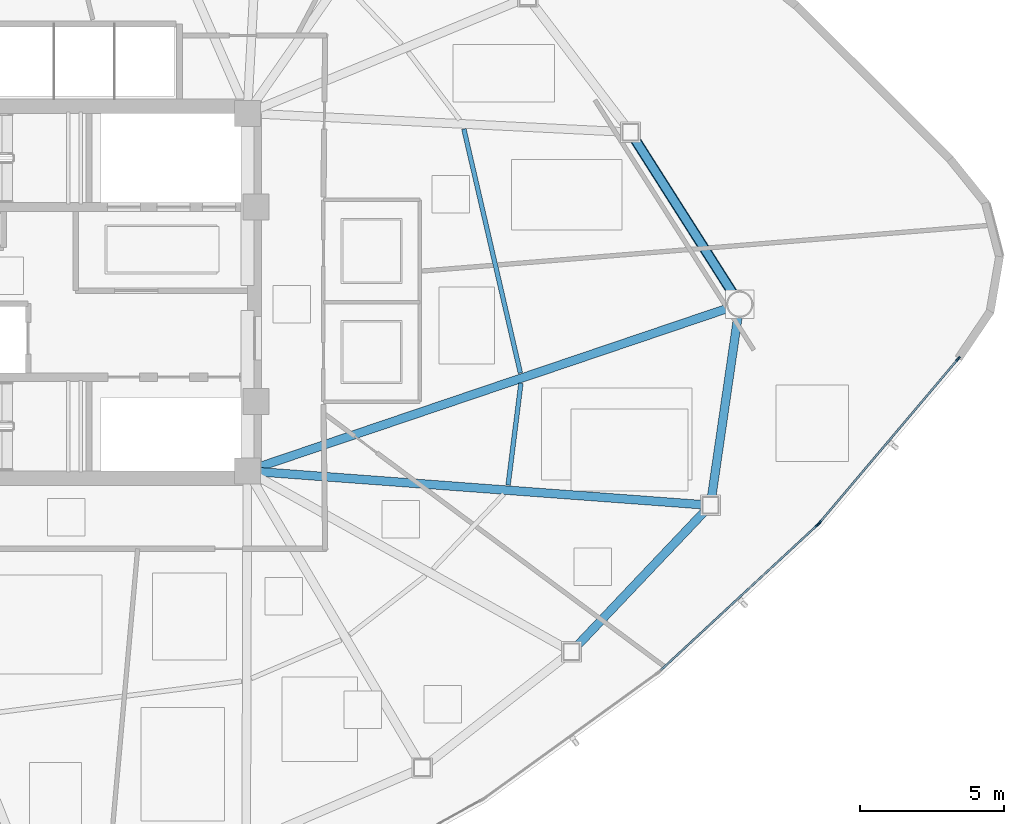
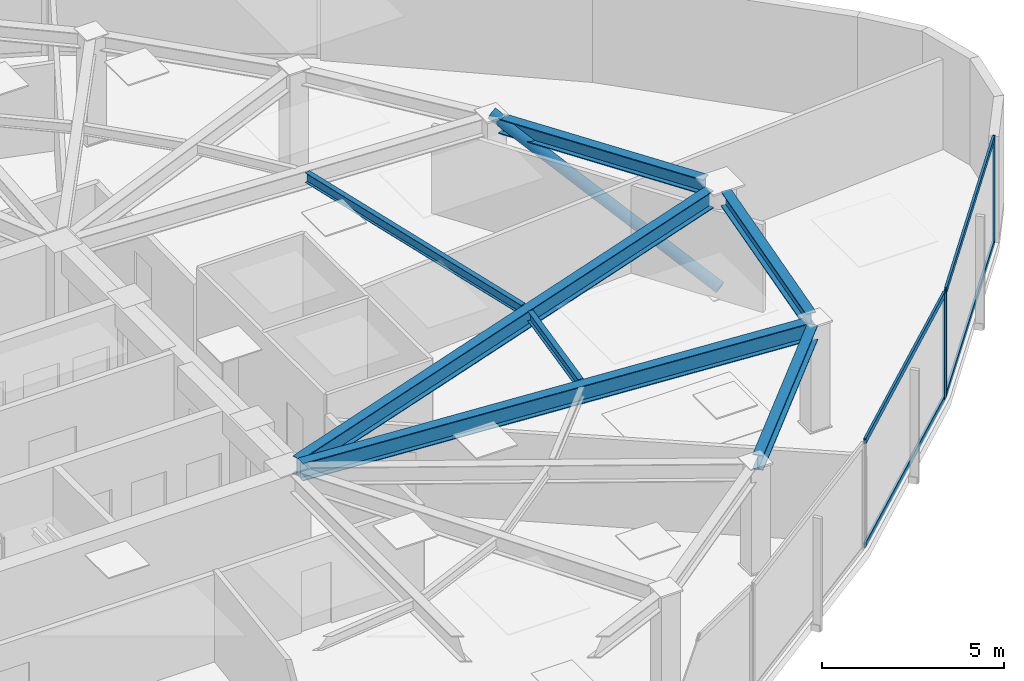
# One storey, part 6 of 17: 8 members, 7 beams, 2 elements without a shape of their own.
"""IFC4 building model written with IfcOpenShell, lengths in metres."""

from ifc_helpers import new_model, si_unit, direction, frame, origin, origin_2d, place, context, subcontext, project, spatial, hollow_rectangle, hollow_circle, i_section, extrude, source, transform, mapped, material, layer, layer_set, material_profile, profile_set, type_object, type_shapes, element, aggregate, save


model = new_model("IFC4")

# Units and contexts
model_context = context("Model", 3, precision=1e-05, world=origin(), true_north=direction((0.0, 1.0)))
body_context = subcontext(model_context, "Body", "Model", "MODEL_VIEW")
ifc_project = project(units=[si_unit("LENGTHUNIT", "METRE"), si_unit("AREAUNIT", "SQUARE_METRE"), si_unit("VOLUMEUNIT", "CUBIC_METRE"), si_unit("PLANEANGLEUNIT", "RADIAN"), si_unit("MASSUNIT", "GRAM", prefix="KILO")], contexts=[model_context])

# Site, building, storey
site_placement = place(None, origin())
site = spatial("IfcSite", under=ifc_project, at=site_placement, CompositionType="ELEMENT")
building_placement = place(site_placement, origin())
building = spatial("IfcBuilding", under=site, at=building_placement, Name="Tavelor Broadcast Tower", CompositionType="ELEMENT")
storey_placement = place(building_placement, frame((0.0, 0.0, 169.5)))
storey = spatial("IfcBuildingStorey", under=building, at=storey_placement, Name="L40", CompositionType="ELEMENT", Elevation=169.5)

# Beams
ifc_material_1 = material(Name="Steel S355", Category="steel")
ifc_material_profile_1 = material_profile(ifc_material_1, i_section(OverallWidth=0.159912109375, OverallDepth=0.330078125, WebThickness=0.007568359375, FlangeThickness=0.011474609375, at=origin_2d()), Name="IPE 330")
ifc_profile_set_1 = profile_set([ifc_material_profile_1], Name="Steel S355")
beam_type_1 = type_object("IfcBeamType", Name="Composite Floor Joist T4 IPE 330", PredefinedType="JOIST", material=ifc_profile_set_1)
beam_1_placement = place(storey_placement, frame((65.64453125, 38.3095703125, 3.385009765625), z_axis=(0.124499310057, 0.992219694319, 0.0), x_axis=(-0.992219694319, 0.124499310057, 0.0)))
element("IfcBeam", 1, at=beam_1_placement, inside=storey, type_object=beam_type_1, Name="L40 Secondary Composite Floor Joist 12", PredefinedType="JOIST", context=body_context, shape_type="SweptSolid", body=[
    extrude(i_section(OverallWidth=0.159912109375, OverallDepth=0.330078125, WebThickness=0.007568359375, FlangeThickness=0.011474609375, at=origin_2d()), origin(), (0.0, 0.0, 1.0), 3.55712890625),
])
beam_2_placement = place(storey_placement, frame((66.069091796875, 42.195068359375, 3.385009765625), z_axis=(-0.225617102792, 0.974216055569, 0.0), x_axis=(-0.974216055569, -0.225617102792, 0.0)))
element("IfcBeam", 2, at=beam_2_placement, inside=storey, type_object=beam_type_1, Name="L40 Secondary Composite Floor Joist 13", PredefinedType="JOIST", context=body_context, shape_type="SweptSolid", body=[
    extrude(i_section(OverallWidth=0.159912109375, OverallDepth=0.330078125, WebThickness=0.007568359375, FlangeThickness=0.011474609375, at=origin_2d()), origin(), (0.0, 0.0, 1.0), 8.683837890625),
])
ifc_material_profile_2 = material_profile(ifc_material_1, i_section(OverallWidth=0.300048828125, OverallDepth=0.5, WebThickness=0.014404296875, FlangeThickness=0.028076171875, at=origin_2d()), Name="HEB 500")
ifc_profile_set_2 = profile_set([ifc_material_profile_2], Name="Steel S355")
beam_type_2 = type_object("IfcBeamType", Name="Perimeter Spandrel Beam T4 HEB 500", PredefinedType="SPANDREL", material=ifc_profile_set_2)
beam_3_placement = place(storey_placement, frame((68.04052734375, 32.74072265625, 3.300048828125), z_axis=(0.688387662899, 0.725342970993, 0.0), x_axis=(-0.725342970993, 0.688387662899, 0.0)))
element("IfcBeam", 3, at=beam_3_placement, inside=storey, type_object=beam_type_2, Name="L40 Framed-Tube Ring Spandrel 11", PredefinedType="SPANDREL", context=body_context, shape_type="SweptSolid", body=[
    extrude(i_section(OverallWidth=0.300048828125, OverallDepth=0.5, WebThickness=0.014404296875, FlangeThickness=0.028076171875, at=origin_2d()), origin(), (0.0, 0.0, 1.0), 6.42138671875),
])
beam_4_placement = place(storey_placement, frame((72.700927734375, 37.892333984375, 3.300048828125), z_axis=(0.144298223799, 0.989534245293, 0.0), x_axis=(-0.989534245293, 0.144298223799, 0.0)))
element("IfcBeam", 4, at=beam_4_placement, inside=storey, type_object=beam_type_2, Name="L40 Framed-Tube Ring Spandrel 12", PredefinedType="SPANDREL", context=body_context, shape_type="SweptSolid", body=[
    extrude(i_section(OverallWidth=0.300048828125, OverallDepth=0.5, WebThickness=0.014404296875, FlangeThickness=0.028076171875, at=origin_2d()), origin(), (0.0, 0.0, 1.0), 6.3193359375),
])
beam_5_placement = place(storey_placement, frame((73.440673828125, 44.94970703125, 3.300048828125), z_axis=(-0.536287336864, 0.844035480486, 0.0), x_axis=(-0.844035480486, -0.536287336864, 0.0)))
element("IfcBeam", 5, at=beam_5_placement, inside=storey, type_object=beam_type_2, Name="L40 Framed-Tube Ring Spandrel 13", PredefinedType="SPANDREL", context=body_context, shape_type="SweptSolid", body=[
    extrude(i_section(OverallWidth=0.300048828125, OverallDepth=0.5, WebThickness=0.014404296875, FlangeThickness=0.028076171875, at=origin_2d()), origin(), (0.0, 0.0, 1.0), 6.340087890625),
])

# Member
ifc_material_profile_3 = material_profile(ifc_material_1, hollow_circle(Radius=0.177734375, WallThickness=0.01611328125, at=origin_2d()), Name="CHS 355.6x16")
ifc_profile_set_3 = profile_set([ifc_material_profile_3], Name="Steel S355")
member_type_1 = type_object("IfcMemberType", Name="Perimeter Tube Brace T4 CHS 355.6x16", PredefinedType="BRACE", material=ifc_profile_set_3)
member_1_placement = place(storey_placement, frame((73.676025390625, 44.57958984375, 0.0), z_axis=(-0.479238755177, 0.754205232397, 0.448892729904), x_axis=(-0.844021198089, -0.536309814544, 0.0)))
element("IfcMember", 6, at=member_1_placement, inside=storey, type_object=member_type_1, Name="L40 Corner Tube Diagonal Brace 3", PredefinedType="BRACE", context=body_context, shape_type="SweptSolid", body=[
    extrude(hollow_circle(Radius=0.177734375, WallThickness=0.01611328125, at=origin_2d()), origin(), (0.0, 0.0, 1.0), 7.908447265625),
])

# Beams
ifc_material_profile_4 = material_profile(ifc_material_1, i_section(OverallWidth=0.300048828125, OverallDepth=0.590087890625, WebThickness=0.012939453125, FlangeThickness=0.02490234375, at=origin_2d()), Name="HEA 600")
ifc_profile_set_4 = profile_set([ifc_material_profile_4], Name="Steel S355")
beam_type_3 = type_object("IfcBeamType", Name="Radial Floor Girder T4 HEA 600", PredefinedType="BEAM", material=ifc_profile_set_4)
beam_6_placement = place(storey_placement, frame((57.03076171875, 38.76806640625, 3.2548828125), z_axis=(0.997253315852, -0.074066348787, 0.0), x_axis=(0.074066348787, 0.997253315852, 0.0)))
element("IfcBeam", 7, at=beam_6_placement, inside=storey, type_object=beam_type_3, Name="L40 Radial Primary Floor Girder 12", PredefinedType="BEAM", context=body_context, shape_type="SweptSolid", body=[
    extrude(i_section(OverallWidth=0.300048828125, OverallDepth=0.590087890625, WebThickness=0.012939453125, FlangeThickness=0.02490234375, at=origin_2d()), origin(), (0.0, 0.0, 1.0), 15.383544921875),
])
beam_7_placement = place(storey_placement, frame((57.00927734375, 38.9384765625, 3.2548828125), z_axis=(0.947214639948, 0.320600102727, 0.0), x_axis=(-0.320600102727, 0.947214639948, 0.0)))
element("IfcBeam", 8, at=beam_7_placement, inside=storey, type_object=beam_type_3, Name="L40 Radial Primary Floor Girder 13", PredefinedType="BEAM", context=body_context, shape_type="SweptSolid", body=[
    extrude(i_section(OverallWidth=0.300048828125, OverallDepth=0.590087890625, WebThickness=0.012939453125, FlangeThickness=0.02490234375, at=origin_2d()), origin(), (0.0, 0.0, 1.0), 17.15673828125),
])

# Curtain wall, member
ifc_material_2 = material(Name="Architectural Anodized Aluminium", Category="aluminium")
ifc_layer = layer(ifc_material_2, 0.18994140625)
ifc_layer_set = layer_set([ifc_layer], Name="Architectural Anodized Aluminium")
curtain_wall_type = type_object("IfcCurtainWallType", Name="Tower Mid-Zone Acoustic Curtain Wall CW03", PredefinedType="NOTDEFINED", material=ifc_layer_set)
curtain_wall_1_placement = place(storey_placement, origin())
curtain_wall_1 = element("IfcCurtainWall", 9, at=curtain_wall_1_placement, inside=storey, type_object=curtain_wall_type, Name="L40 Curtain Wall CW03 Run 427", PredefinedType="NOTDEFINED")
ifc_material_profile_5 = material_profile(ifc_material_2, hollow_rectangle(XDim=0.068115234375, YDim=0.18994140625, WallThickness=0.02197265625, at=origin_2d()), Name="RHS 68x190x22")
ifc_profile_set_5 = profile_set([ifc_material_profile_5], Name="Architectural Anodized Aluminium")
member_type_2 = type_object("IfcMemberType", Name="CW03 Extruded Aluminium Mullion 68x190", PredefinedType="MULLION", material=ifc_profile_set_5)
shared_shape_1 = source(origin(), body_context, "Body", "SweptSolid", [
    extrude(hollow_rectangle(XDim=0.068115234375, YDim=0.18994140625, WallThickness=0.02197265625, at=origin_2d()), origin(), (0.0, 0.0, 1.0), 3.550048828125),
])
type_shapes(member_type_2, [shared_shape_1])
member_2_placement = place(storey_placement, frame((76.36376953125, 36.9189453125, 0.0), z_axis=(0.0, 0.0, 1.0), x_axis=(-0.67976728625, 0.733427867308, 0.0)))
member_2 = element("IfcMember", 10, at=member_2_placement, type_object=member_type_2, Name="CW03 mullion 2", PredefinedType="MULLION", context=body_context, shape_type="MappedRepresentation", body=[
    mapped(shared_shape_1, transform((0.0, 0.0, 0.0), scale=1.0)),
])

# Curtain wall, members
curtain_wall_2_placement = place(storey_placement, origin())
curtain_wall_2 = element("IfcCurtainWall", 11, at=curtain_wall_2_placement, inside=storey, type_object=curtain_wall_type, Name="L40 Curtain Wall CW03 Run 428", PredefinedType="NOTDEFINED")
member_3_placement = place(storey_placement, frame((76.431396484375, 36.98974609375, 0.0), z_axis=(0.0, 0.0, 1.0), x_axis=(-0.763528429863, 0.645774215025, 0.0)))
member_3 = element("IfcMember", 12, at=member_3_placement, type_object=member_type_2, Name="CW03 mullion 1", PredefinedType="MULLION", context=body_context, shape_type="MappedRepresentation", body=[
    mapped(shared_shape_1, transform((0.0, 0.0, 0.0), scale=1.0)),
])
member_4_placement = place(storey_placement, frame((81.246337890625, 42.682861328125, 0.0), z_axis=(0.0, 0.0, 1.0), x_axis=(-0.763528429863, 0.645774215025, 0.0)))
member_4 = element("IfcMember", 13, at=member_4_placement, type_object=member_type_2, Name="CW03 mullion 2", PredefinedType="MULLION", context=body_context, shape_type="MappedRepresentation", body=[
    mapped(shared_shape_1, transform((0.0, 0.0, 0.0), scale=1.0)),
])
ifc_material_profile_6 = material_profile(ifc_material_2, hollow_rectangle(XDim=0.068115234375, YDim=0.18994140625, WallThickness=0.02197265625, at=origin_2d()), Name="RHS 68x190x22")
ifc_profile_set_6 = profile_set([ifc_material_profile_6], Name="Architectural Anodized Aluminium")
member_type_3 = type_object("IfcMemberType", Name="CW03 Extruded Aluminium Transom 68x190", PredefinedType="USERDEFINED", material=ifc_profile_set_6)
shared_shape_2 = source(origin(), body_context, "Body", "SweptSolid", [
    extrude(hollow_rectangle(XDim=0.068115234375, YDim=0.18994140625, WallThickness=0.02197265625, at=origin_2d()), origin(), (0.0, 0.0, 1.0), 7.38818359375),
])
member_5_placement = place(storey_placement, frame((76.453369140625, 37.015625, 0.033935546875), z_axis=(0.645783729101, 0.763520382982, 0.0), x_axis=(-0.763520382982, 0.645783729101, 0.0)))
member_5 = element("IfcMember", 14, at=member_5_placement, type_object=member_type_3, Name="CW03 transom 1.1", ObjectType="TRANSOM", PredefinedType="USERDEFINED", context=body_context, shape_type="MappedRepresentation", body=[
    mapped(shared_shape_2, transform((0.0, 0.0, 0.0), scale=1.0)),
])
member_6_placement = place(storey_placement, frame((76.453369140625, 37.015625, 3.51611328125), z_axis=(0.645783729101, 0.763520382982, 0.0), x_axis=(-0.763520382982, 0.645783729101, 0.0)))
member_6 = element("IfcMember", 15, at=member_6_placement, type_object=member_type_3, Name="CW03 transom 1.2", ObjectType="TRANSOM", PredefinedType="USERDEFINED", context=body_context, shape_type="MappedRepresentation", body=[
    mapped(shared_shape_2, transform((0.0, 0.0, 0.0), scale=1.0)),
])
aggregate(curtain_wall_2, [member_3, member_4, member_5, member_6])

# Member
shared_shape_3 = source(origin(), body_context, "Body", "SweptSolid", [
    extrude(hollow_rectangle(XDim=0.068115234375, YDim=0.18994140625, WallThickness=0.02197265625, at=origin_2d()), origin(), (0.0, 0.0, 1.0), 7.372314453125),
])
type_shapes(member_type_3, [shared_shape_2, shared_shape_3])
member_7_placement = place(storey_placement, frame((70.931884765625, 31.884521484375, 0.033935546875), z_axis=(0.733421840041, 0.67977378925, 0.0), x_axis=(-0.67977378925, 0.733421840041, 0.0)))
member_7 = element("IfcMember", 16, at=member_7_placement, type_object=member_type_3, Name="CW03 transom 1.1", ObjectType="TRANSOM", PredefinedType="USERDEFINED", context=body_context, shape_type="MappedRepresentation", body=[
    mapped(shared_shape_3, transform((0.0, 0.0, 0.0), scale=1.0)),
])

member_8_placement = place(storey_placement, frame((70.931884765625, 31.884521484375, 3.51611328125), z_axis=(0.733421840041, 0.67977378925, 0.0), x_axis=(-0.67977378925, 0.733421840041, 0.0)))
member_8 = element("IfcMember", 17, at=member_8_placement, type_object=member_type_3, Name="CW03 transom 1.2", ObjectType="TRANSOM", PredefinedType="USERDEFINED", context=body_context, shape_type="MappedRepresentation", body=[
    mapped(shared_shape_3, transform((0.0, 0.0, 0.0), scale=1.0)),
])

aggregate(curtain_wall_1, [member_2, member_7, member_8])

save(model, "model.ifc")
